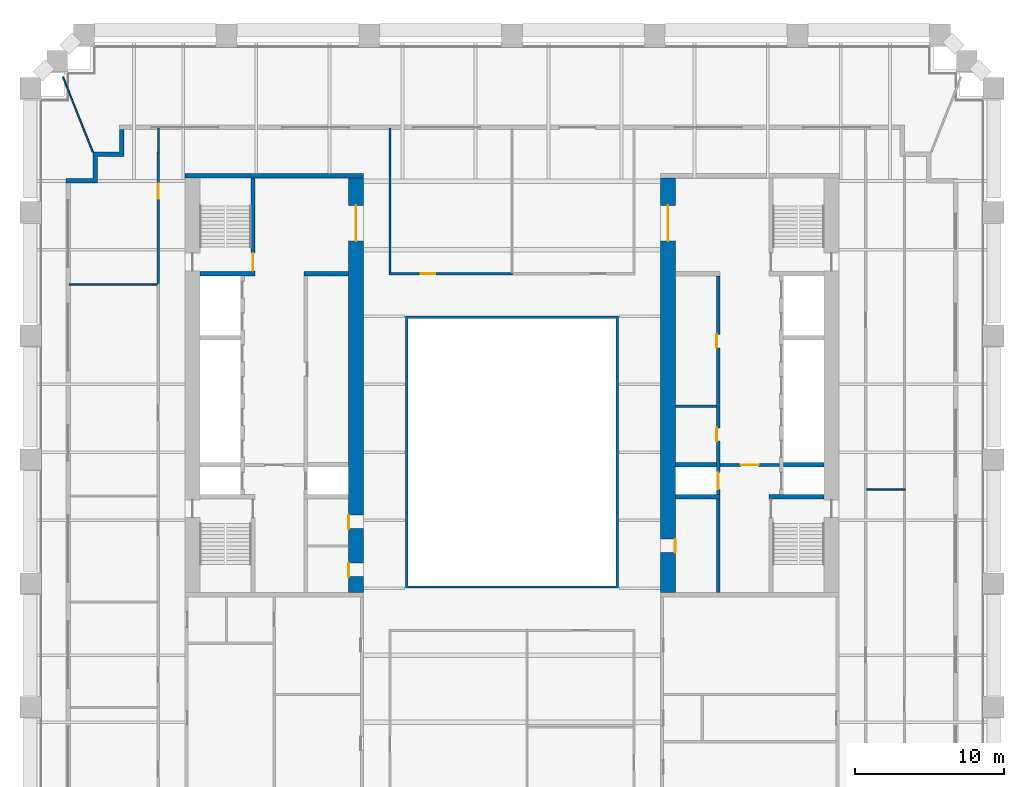
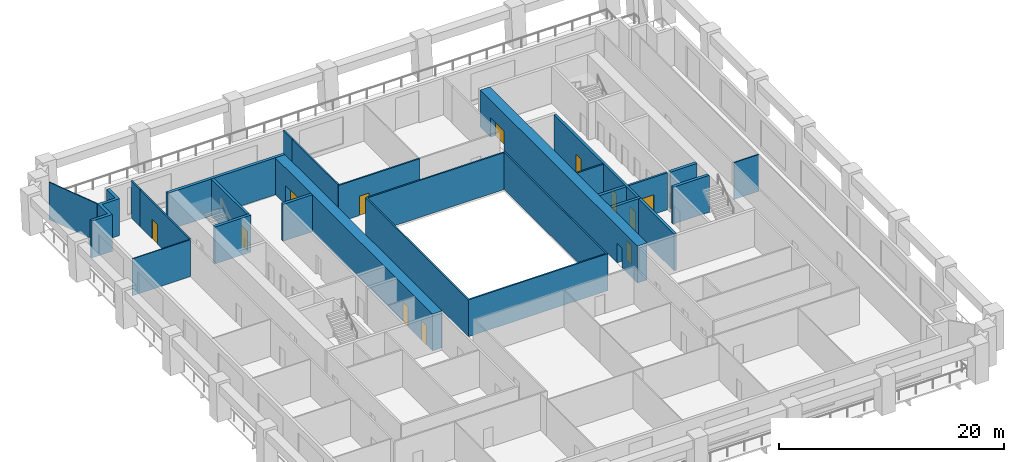
# One storey, part 6 of 10: 23 walls, 12 doors, 12 openings.
"""IFC4 building model written with IfcOpenShell, lengths in metres."""

from ifc_helpers import new_model, si_unit, direction, frame, frame_2d, origin, place, context, subcontext, project, spatial, polyline, rectangle, outline, extrude, material, layer, layer_set, type_object, element, fill, save


model = new_model("IFC4")

# Units and contexts
model_context = context("Model", 3, precision=1e-05, world=origin(), true_north=direction((0.0, 1.0)))
body_context = subcontext(model_context, "Body", "Model", "MODEL_VIEW")
ifc_project = project(units=[si_unit("LENGTHUNIT", "METRE"), si_unit("AREAUNIT", "SQUARE_METRE"), si_unit("VOLUMEUNIT", "CUBIC_METRE"), si_unit("PLANEANGLEUNIT", "RADIAN"), si_unit("MASSUNIT", "GRAM", prefix="KILO")], contexts=[model_context])

# Site, building, storey
site_placement = place(None, origin())
site = spatial("IfcSite", under=ifc_project, at=site_placement, CompositionType="ELEMENT")
building_placement = place(site_placement, origin())
building = spatial("IfcBuilding", under=site, at=building_placement, Name="Ogive Exchange Tower", CompositionType="ELEMENT")
storey_placement = place(building_placement, frame((0.0, 0.0, 73.199951171875)))
storey = spatial("IfcBuildingStorey", under=building, at=storey_placement, Name="L15", CompositionType="ELEMENT", Elevation=73.199951171875)

# Walls
ifc_material_1 = material(Name="Gypsum board partition")
ifc_layer_1 = layer(ifc_material_1, 0.14990234375)
ifc_layer_set_1 = layer_set([ifc_layer_1], Name="Core room partition 150 gypsum")
wall_type_1 = type_object("IfcWallType", Name="Core room partition 150 gypsum", PredefinedType="PARTITIONING", material=ifc_layer_set_1)
wall_1_placement = place(storey_placement, frame((11.0, 10.10009765625, 0.0), z_axis=(0.0, 0.0, 1.0), x_axis=(1.0, 0.0, 0.0)))
element("IfcWall", 1, at=wall_1_placement, inside=storey, type_object=wall_type_1, Name="E row B bay partition 1-1", PredefinedType="PARTITIONING", context=body_context, shape_type="SweptSolid", body=[
    extrude(rectangle(XDim=2.75, YDim=0.14990234375, at=frame_2d((1.375, 0.0))), origin(), (0.0, 0.0, 1.0), 4.0),
])
ifc_layer_2 = layer(ifc_material_1, 0.300048828125)
ifc_layer_set_2 = layer_set([ifc_layer_2], Name="Core room partition 300 gypsum")
wall_type_2 = type_object("IfcWallType", Name="Core room partition 300 gypsum", PredefinedType="PARTITIONING", material=ifc_layer_set_2)
wall_2_placement = place(storey_placement, frame((-14.0, 19.0, 0.0), z_axis=(0.0, 0.0, 1.0), x_axis=(1.0, 0.0, 0.0)))
element("IfcWall", 2, at=wall_2_placement, inside=storey, type_object=wall_type_2, Name="W row B room end wall 7", PredefinedType="PARTITIONING", context=body_context, shape_type="SweptSolid", body=[
    extrude(rectangle(XDim=3.0, YDim=0.300048828125, at=frame_2d((1.5, 0.0))), origin(), (0.0, 0.0, 1.0), 4.0),
])

# Wall, opening, door
ifc_material_2 = material(Name="Fire partition EI 60 150")
ifc_layer_3 = layer(ifc_material_2, 0.14990234375)
ifc_layer_set_3 = layer_set([ifc_layer_3], Name="Fire partition EI 60 150")
wall_type_3 = type_object("IfcWallType", Name="Fire partition EI 60 150", PredefinedType="PARTITIONING", material=ifc_layer_set_3)
wall_3_placement = place(storey_placement, frame((-23.800048828125, 18.340087890625, 0.0), z_axis=(0.0, 0.0, 1.0), x_axis=(0.0, 1.0, 0.0)))
wall_3 = element("IfcWall", 3, at=wall_3_placement, inside=storey, type_object=wall_type_3, Name="L15-PWL-011", PredefinedType="PARTITIONING", context=body_context, shape_type="SweptSolid", body=[
    extrude(rectangle(XDim=8.85986328125, YDim=0.14990234375, at=frame_2d((4.429931640625, 0.0))), origin(), (0.0, 0.0, 1.0), 4.0),
])
opening_1_placement = place(wall_3_placement, frame((5.7099609375, 0.0, 0.0)))
opening_1 = element("IfcOpeningElement", 4, at=opening_1_placement, cuts=wall_3, Name="Opening L15-I12", PredefinedType="OPENING", context=body_context, shape_type="SweptSolid", body=[
    extrude(rectangle(XDim=1.0, YDim=2.10009765625, at=frame_2d((0.5, 1.050048828125))), frame((0.0, 0.0849609375, 0.0), z_axis=(0.0, -1.0, 0.0), x_axis=(1.0, 0.0, 0.0)), (0.0, 0.0, 1.0), 0.169921875),
])
ifc_material_3 = material(Name="Fire door FD 30S 1000 x 2100")
door_type_1 = type_object("IfcDoorType", Name="Fire door FD 30S 1000 x 2100", OperationType="NOTDEFINED", PredefinedType="DOOR", material=ifc_material_3)
door_1_placement = place(opening_1_placement, origin())
door_1 = element("IfcDoor", 5, at=door_1_placement, inside=storey, type_object=door_type_1, Name="L15-IDR-012", ObjectType="DT3", OperationType="SINGLE_SWING_LEFT", OverallHeight=2.10009765625, OverallWidth=1.0, PredefinedType="DOOR", context=body_context, shape_type="SweptSolid", body=[
    extrude(rectangle(XDim=1.0, YDim=2.10009765625, at=frame_2d((0.5, 1.050048828125))), frame((0.0, 0.02490234375, 0.0), z_axis=(0.0, -1.0, 0.0), x_axis=(1.0, 0.0, 0.0)), (0.0, 0.0, 1.0), 0.050048828125),
])
fill(opening_1, door_1)

# Walls
for number, where, z_axis, x_axis, name in (
    (6, (-23.7900390625, 27.199951171875, 0.0), (0.0, 0.0, 1.0), (0.0, 1.0, 0.0), "L15-PWL-012"),
    (7, (-8.2099609375, 28.800048828125, 0.0), (0.0, 0.0, 1.0), (0.0, -1.0, 0.0), "L15-PWL-019"),
):
    element("IfcWall", number, at=place(storey_placement, frame(where, z_axis=z_axis, x_axis=x_axis)), inside=storey, type_object=wall_type_3, Name=name, PredefinedType="PARTITIONING", context=body_context, shape_type="SweptSolid", body=[
        extrude(rectangle(XDim=1.60009765625, YDim=0.14990234375, at=frame_2d((0.800048828125, 0.0))), origin(), (0.0, 0.0, 1.0), 4.0),
    ])

# Wall, opening, door
wall_4_placement = place(storey_placement, frame((-8.27490234375, 19.0, 0.0), z_axis=(0.0, 0.0, 1.0), x_axis=(1.0, 0.0, 0.0)))
wall_4 = element("IfcWall", 8, at=wall_4_placement, inside=storey, type_object=wall_type_3, Name="L15-PWL-022", PredefinedType="PARTITIONING", context=body_context, shape_type="SweptSolid", body=[
    extrude(rectangle(XDim=8.324951171875, YDim=0.14990234375, at=frame_2d((4.16259765625, 0.0))), origin(), (0.0, 0.0, 1.0), 4.0),
])
opening_2_placement = place(wall_4_placement, frame((2.125, 0.0, 0.0)))
opening_2 = element("IfcOpeningElement", 9, at=opening_2_placement, cuts=wall_4, Name="Opening L15-I11", PredefinedType="OPENING", context=body_context, shape_type="SweptSolid", body=[
    extrude(rectangle(XDim=1.0, YDim=2.10009765625, at=frame_2d((0.5, 1.050048828125))), frame((0.0, 0.0849609375, 0.0), z_axis=(0.0, -1.0, 0.0), x_axis=(1.0, 0.0, 0.0)), (0.0, 0.0, 1.0), 0.169921875),
])
door_2_placement = place(opening_2_placement, origin())
door_2 = element("IfcDoor", 10, at=door_2_placement, inside=storey, type_object=door_type_1, Name="L15-IDR-011", ObjectType="DT3", OperationType="SINGLE_SWING_RIGHT", OverallHeight=2.10009765625, OverallWidth=1.0, PredefinedType="DOOR", context=body_context, shape_type="SweptSolid", body=[
    extrude(rectangle(XDim=1.0, YDim=2.10009765625, at=frame_2d((0.5, 1.050048828125))), frame((0.0, 0.02490234375, 0.0), z_axis=(0.0, -1.0, 0.0), x_axis=(1.0, 0.0, 0.0)), (0.0, 0.0, 1.0), 0.050048828125),
])
fill(opening_2, door_2)

# Walls
wall_5_placement = place(storey_placement, frame((-8.199951171875, 27.199951171875, 0.0), z_axis=(0.0, 0.0, 1.0), x_axis=(0.0, -1.0, 0.0)))
element("IfcWall", 11, at=wall_5_placement, inside=storey, type_object=wall_type_3, Name="L15-PWL-023", PredefinedType="PARTITIONING", context=body_context, shape_type="SweptSolid", body=[
    extrude(rectangle(XDim=8.125, YDim=0.14990234375, at=frame_2d((4.0625, 0.0))), origin(), (0.0, 0.0, 1.0), 4.0),
])
ifc_material_4 = material(Name="Fire-resisting glass in steel frame", Category="steel")
ifc_layer_4 = layer(ifc_material_4, 0.14990234375)
ifc_layer_set_4 = layer_set([ifc_layer_4], Name="Fire-rated glazed wall 150")
wall_type_4 = type_object("IfcWallType", Name="Fire-rated glazed wall 150", PredefinedType="STANDARD", material=ifc_layer_set_4)
wall_6_placement = place(storey_placement, origin())
element("IfcWall", 12, at=wall_6_placement, inside=storey, type_object=wall_type_4, Name="Nave enclosure wall", PredefinedType="STANDARD", context=body_context, shape_type="SweptSolid", body=[
    extrude(outline(polyline([(-7.14990234375, -2.14990234375), (7.14990234375, -2.14990234375), (7.14990234375, 16.14990234375), (-7.14990234375, 16.14990234375), (-7.14990234375, -2.14990234375)]), holes=[polyline([(-7.0, -2.0), (-7.0, 16.0), (7.0, 16.0), (7.0, -2.0), (-7.0, -2.0)])]), origin(), (0.0, 0.0, 1.0), 4.0),
])
ifc_material_5 = material(Name="Precast concrete C40/50", Category="concrete")
ifc_layer_5 = layer(ifc_material_5, 0.300048828125)
ifc_layer_set_5 = layer_set([ifc_layer_5], Name="Limestone-faced wall 300")
wall_type_5 = type_object("IfcWallType", Name="Limestone-faced wall 300", PredefinedType="STANDARD", material=ifc_layer_set_5)
wall_7_placement = place(storey_placement, origin())
element("IfcWall", 13, at=wall_7_placement, inside=storey, type_object=wall_type_5, Name="External corner wall C3", PredefinedType="STANDARD", context=body_context, shape_type="SweptSolid", body=[
    extrude(outline(polyline([(-28.199951171875, 25.39990234375), (-28.199951171875, 27.199951171875), (-26.39990234375, 27.199951171875), (-26.39990234375, 28.699951171875), (-26.10009765625, 28.699951171875), (-26.10009765625, 26.89990234375), (-27.89990234375, 26.89990234375), (-27.89990234375, 25.10009765625), (-30.0, 25.10009765625), (-30.0, 25.39990234375), (-28.199951171875, 25.39990234375)])), origin(), (0.0, 0.0, 1.0), 4.0),
])
ifc_material_6 = material(Name="Laminated safety glass in steel frame", Category="steel")
ifc_layer_6 = layer(ifc_material_6, 0.10009765625)
ifc_layer_set_6 = layer_set([ifc_layer_6], Name="Loggia end screen 100")
wall_type_6 = type_object("IfcWallType", Name="Loggia end screen 100", PredefinedType="STANDARD", material=ifc_layer_set_6)
wall_8_placement = place(storey_placement, frame((-28.199951171875, 27.199951171875, -0.050048828125), z_axis=(0.0, 0.0, 1.0), x_axis=(-0.371390676354, 0.928476690885, 0.0)))
element("IfcWall", 14, at=wall_8_placement, inside=storey, type_object=wall_type_6, Name="Loggia end screen C3", PredefinedType="STANDARD", context=body_context, shape_type="SweptSolid", body=[
    extrude(rectangle(XDim=5.4521484375, YDim=0.10009765625, at=frame_2d((2.72607421875, 0.0))), origin(), (0.0, 0.0, 1.0), 4.050048828125),
])
ifc_material_7 = material(Name="Partition 100 gypsum")
ifc_layer_7 = layer(ifc_material_7, 0.10009765625)
ifc_layer_set_7 = layer_set([ifc_layer_7], Name="Partition 100 gypsum")
wall_type_7 = type_object("IfcWallType", Name="Partition 100 gypsum", PredefinedType="PARTITIONING", material=ifc_layer_set_7)
wall_9_placement = place(storey_placement, frame((-23.875, 18.2900390625, 0.0), z_axis=(0.0, 0.0, 1.0), x_axis=(-1.0, 0.0, 0.0)))
element("IfcWall", 15, at=wall_9_placement, inside=storey, type_object=wall_type_7, Name="L15-PWL-010", PredefinedType="PARTITIONING", context=body_context, shape_type="SweptSolid", body=[
    extrude(rectangle(XDim=5.925048828125, YDim=0.10009765625, at=frame_2d((2.96240234375, 0.0))), origin(), (0.0, 0.0, 1.0), 4.0),
])
wall_10_placement = place(storey_placement, frame((23.875, 4.5, 0.0), z_axis=(0.0, 0.0, 1.0), x_axis=(1.0, 0.0, 0.0)))
element("IfcWall", 16, at=wall_10_placement, inside=storey, type_object=wall_type_7, Name="L15-PWL-046", PredefinedType="PARTITIONING", context=body_context, shape_type="SweptSolid", body=[
    extrude(rectangle(XDim=2.574951171875, YDim=0.10009765625, at=frame_2d((1.28759765625, 0.0))), origin(), (0.0, 0.0, 1.0), 4.0),
])

# Wall, openings, doors
ifc_material_8 = material(Name="Concrete C70/85", Category="concrete")
ifc_layer_8 = layer(ifc_material_8, 1.0)
ifc_layer_set_8 = layer_set([ifc_layer_8], Name="RC core wall 1000 C70/85")
wall_type_8 = type_object("IfcWallType", Name="RC core wall 1000 C70/85", PredefinedType="SHEAR", material=ifc_layer_set_8)
wall_11_placement = place(storey_placement, frame((-10.5, -2.449951171875, 0.0), z_axis=(0.0, 0.0, 1.0), x_axis=(0.0, 1.0, 0.0)))
wall_11 = element("IfcWall", 17, at=wall_11_placement, inside=storey, type_object=wall_type_8, Name="W inner wall", PredefinedType="SHEAR", context=body_context, shape_type="SweptSolid", body=[
    extrude(rectangle(XDim=27.89990234375, YDim=1.0, at=frame_2d((13.949951171875, 0.0))), origin(), (0.0, 0.0, 1.0), 4.0),
])
opening_3_placement = place(wall_11_placement, frame((23.64990234375, 0.0, 0.0)))
opening_3 = element("IfcOpeningElement", 18, at=opening_3_placement, cuts=wall_11, Name="Opening L15-C11", PredefinedType="OPENING", context=body_context, shape_type="SweptSolid", body=[
    extrude(rectangle(XDim=2.39990234375, YDim=2.10009765625, at=frame_2d((1.199951171875, 1.050048828125))), frame((0.0, 0.510009765625, 0.0), z_axis=(0.0, -1.0, 0.0), x_axis=(1.0, 0.0, 0.0)), (0.0, 0.0, 1.0), 1.02001953125),
])
opening_4_placement = place(wall_11_placement, frame((1.08740234375, 0.0, 0.0)))
opening_4 = element("IfcOpeningElement", 19, at=opening_4_placement, cuts=wall_11, Name="Opening L15-C16", PredefinedType="OPENING", context=body_context, shape_type="SweptSolid", body=[
    extrude(rectangle(XDim=0.89990234375, YDim=2.10009765625, at=frame_2d((0.449951171875, 1.050048828125))), frame((0.0, 0.510009765625, 0.0), z_axis=(0.0, -1.0, 0.0), x_axis=(1.0, 0.0, 0.0)), (0.0, 0.0, 1.0), 1.02001953125),
])
opening_5_placement = place(wall_11_placement, frame((4.3125, 0.0, 0.0)))
opening_5 = element("IfcOpeningElement", 20, at=opening_5_placement, cuts=wall_11, Name="Opening L15-C17", PredefinedType="OPENING", context=body_context, shape_type="SweptSolid", body=[
    extrude(rectangle(XDim=0.89990234375, YDim=2.10009765625, at=frame_2d((0.449951171875, 1.050048828125))), frame((0.0, 0.510009765625, 0.0), z_axis=(0.0, -1.0, 0.0), x_axis=(1.0, 0.0, 0.0)), (0.0, 0.0, 1.0), 1.02001953125),
])
ifc_material_9 = material(Name="Timber fire door", Category="wood")
door_type_2 = type_object("IfcDoorType", Name="Core room door FD30S 900 x 2100", OperationType="NOTDEFINED", PredefinedType="DOOR", material=ifc_material_9)
door_3_placement = place(opening_4_placement, origin())
door_3 = element("IfcDoor", 21, at=door_3_placement, inside=storey, type_object=door_type_2, Name="Core room door", ObjectType="CD6", OperationType="SINGLE_SWING_RIGHT", OverallHeight=2.10009765625, OverallWidth=0.89990234375, PredefinedType="DOOR", context=body_context, shape_type="SweptSolid", body=[
    extrude(rectangle(XDim=0.89990234375, YDim=2.10009765625, at=frame_2d((0.449951171875, 1.050048828125))), frame((0.0, 0.5, 0.0), z_axis=(0.0, -1.0, 0.0), x_axis=(1.0, 0.0, 0.0)), (0.0, 0.0, 1.0), 0.050048828125),
])
fill(opening_4, door_3)
ifc_material_10 = material(Name="Glazed steel fire door", Category="steel")
door_type_3 = type_object("IfcDoorType", Name="Lift lobby double door FD60 2400 x 2100", OperationType="DOUBLE_DOOR_SINGLE_SWING", PredefinedType="DOOR", material=ifc_material_10)
door_4_placement = place(opening_3_placement, origin())
door_4 = element("IfcDoor", 22, at=door_4_placement, inside=storey, type_object=door_type_3, Name="Lift lobby double door", ObjectType="CD4", OperationType="DOUBLE_DOOR_SINGLE_SWING", OverallHeight=2.10009765625, OverallWidth=2.39990234375, PredefinedType="DOOR", context=body_context, shape_type="SweptSolid", body=[
    extrude(rectangle(XDim=2.39990234375, YDim=2.10009765625, at=frame_2d((1.199951171875, 1.050048828125))), frame((0.0, 0.02490234375, 0.0), z_axis=(0.0, -1.0, 0.0), x_axis=(1.0, 0.0, 0.0)), (0.0, 0.0, 1.0), 0.050048828125),
])
fill(opening_3, door_4)
ifc_material_11 = material(Name="Steel fire door", Category="steel")
door_type_4 = type_object("IfcDoorType", Name="Riser door FD60 900 x 2100", OperationType="NOTDEFINED", PredefinedType="DOOR", material=ifc_material_11)
door_5_placement = place(opening_5_placement, origin())
door_5 = element("IfcDoor", 23, at=door_5_placement, inside=storey, type_object=door_type_4, Name="Riser door", ObjectType="CD2", OperationType="SINGLE_SWING_RIGHT", OverallHeight=2.10009765625, OverallWidth=0.89990234375, PredefinedType="DOOR", context=body_context, shape_type="SweptSolid", body=[
    extrude(rectangle(XDim=0.89990234375, YDim=2.10009765625, at=frame_2d((0.449951171875, 1.050048828125))), frame((0.0, 0.5, 0.0), z_axis=(0.0, -1.0, 0.0), x_axis=(1.0, 0.0, 0.0)), (0.0, 0.0, 1.0), 0.050048828125),
])
fill(opening_5, door_5)

wall_12_placement = place(storey_placement, frame((10.5, -2.449951171875, 0.0), z_axis=(0.0, 0.0, 1.0), x_axis=(0.0, 1.0, 0.0)))
wall_12 = element("IfcWall", 24, at=wall_12_placement, inside=storey, type_object=wall_type_8, Name="E inner wall", PredefinedType="SHEAR", context=body_context, shape_type="SweptSolid", body=[
    extrude(rectangle(XDim=27.89990234375, YDim=1.0, at=frame_2d((13.949951171875, 0.0))), origin(), (0.0, 0.0, 1.0), 4.0),
])
opening_6_placement = place(wall_12_placement, frame((23.64990234375, 0.0, 0.0)))
opening_6 = element("IfcOpeningElement", 25, at=opening_6_placement, cuts=wall_12, Name="Opening L15-C34", PredefinedType="OPENING", context=body_context, shape_type="SweptSolid", body=[
    extrude(rectangle(XDim=2.39990234375, YDim=2.10009765625, at=frame_2d((1.199951171875, 1.050048828125))), frame((0.0, 0.510009765625, 0.0), z_axis=(0.0, -1.0, 0.0), x_axis=(1.0, 0.0, 0.0)), (0.0, 0.0, 1.0), 1.02001953125),
])
opening_7_placement = place(wall_12_placement, frame((2.699951171875, 0.0, 0.0)))
opening_7 = element("IfcOpeningElement", 26, at=opening_7_placement, cuts=wall_12, Name="Opening L15-C39", PredefinedType="OPENING", context=body_context, shape_type="SweptSolid", body=[
    extrude(rectangle(XDim=0.89990234375, YDim=2.10009765625, at=frame_2d((0.449951171875, 1.050048828125))), frame((0.0, 0.510009765625, 0.0), z_axis=(0.0, -1.0, 0.0), x_axis=(1.0, 0.0, 0.0)), (0.0, 0.0, 1.0), 1.02001953125),
])
door_6_placement = place(opening_7_placement, frame((0.89990234375, -0.9501953125, 0.0), z_axis=(0.0, 0.0, 1.0), x_axis=(-1.0, 0.0, 0.0)))
door_6 = element("IfcDoor", 27, at=door_6_placement, inside=storey, type_object=door_type_2, Name="Core room door", ObjectType="CD6", OperationType="SINGLE_SWING_RIGHT", OverallHeight=2.10009765625, OverallWidth=0.89990234375, PredefinedType="DOOR", context=body_context, shape_type="SweptSolid", body=[
    extrude(rectangle(XDim=0.89990234375, YDim=2.10009765625, at=frame_2d((0.449951171875, 1.050048828125))), frame((0.0, -0.4501953125, 0.0), z_axis=(0.0, -1.0, 0.0), x_axis=(1.0, 0.0, 0.0)), (0.0, 0.0, 1.0), 0.050048828125),
])
fill(opening_7, door_6)
door_7_placement = place(opening_6_placement, frame((2.39990234375, 0.0, 0.0), z_axis=(0.0, 0.0, 1.0), x_axis=(-1.0, 0.0, 0.0)))
door_7 = element("IfcDoor", 28, at=door_7_placement, inside=storey, type_object=door_type_3, Name="Lift lobby double door", ObjectType="CD4", OperationType="DOUBLE_DOOR_SINGLE_SWING", OverallHeight=2.10009765625, OverallWidth=2.39990234375, PredefinedType="DOOR", context=body_context, shape_type="SweptSolid", body=[
    extrude(rectangle(XDim=2.39990234375, YDim=2.10009765625, at=frame_2d((1.199951171875, 1.050048828125))), frame((0.0, 0.02490234375, 0.0), z_axis=(0.0, -1.0, 0.0), x_axis=(1.0, 0.0, 0.0)), (0.0, 0.0, 1.0), 0.050048828125),
])
fill(opening_6, door_7)

# Wall, opening, door
ifc_layer_9 = layer(ifc_material_8, 0.199951171875)
ifc_layer_set_9 = layer_set([ifc_layer_9], Name="RC core wall 200 C70/85")
wall_type_9 = type_object("IfcWallType", Name="RC core wall 200 C70/85", PredefinedType="SHEAR", material=ifc_layer_set_9)
wall_13_placement = place(storey_placement, frame((14.0, 6.142822265625, 0.0), z_axis=(0.0, 0.0, 1.0), x_axis=(1.0, 0.0, 0.0)))
wall_13 = element("IfcWall", 29, at=wall_13_placement, inside=storey, type_object=wall_type_9, Name="E firefighting lobby wall", PredefinedType="SHEAR", context=body_context, shape_type="SweptSolid", body=[
    extrude(rectangle(XDim=4.0, YDim=0.199951171875, at=frame_2d((2.0, 0.0))), origin(), (0.0, 0.0, 1.0), 4.0),
])
opening_8_placement = place(wall_13_placement, frame((1.39990234375, 0.0, 0.0)))
opening_8 = element("IfcOpeningElement", 30, at=opening_8_placement, cuts=wall_13, Name="Opening L15-C33", PredefinedType="OPENING", context=body_context, shape_type="SweptSolid", body=[
    extrude(rectangle(XDim=1.199951171875, YDim=2.10009765625, at=frame_2d((0.60009765625, 1.050048828125))), frame((0.0, 0.10986328125, 0.0), z_axis=(0.0, -1.0, 0.0), x_axis=(1.0, 0.0, 0.0)), (0.0, 0.0, 1.0), 0.219970703125),
])
door_type_5 = type_object("IfcDoorType", Name="Firefighting lobby door FD60 1200 x 2100", OperationType="NOTDEFINED", PredefinedType="DOOR", material=ifc_material_11)
door_8_placement = place(opening_8_placement, frame((1.199951171875, 0.0, 0.0), z_axis=(0.0, 0.0, 1.0), x_axis=(-1.0, 0.0, 0.0)))
door_8 = element("IfcDoor", 31, at=door_8_placement, inside=storey, type_object=door_type_5, Name="Firefighting lobby door", ObjectType="CD3", OperationType="SINGLE_SWING_RIGHT", OverallHeight=2.10009765625, OverallWidth=1.199951171875, PredefinedType="DOOR", context=body_context, shape_type="SweptSolid", body=[
    extrude(rectangle(XDim=1.199951171875, YDim=2.10009765625, at=frame_2d((0.60009765625, 1.050048828125))), frame((0.0, 0.02490234375, 0.0), z_axis=(0.0, -1.0, 0.0), x_axis=(1.0, 0.0, 0.0)), (0.0, 0.0, 1.0), 0.050048828125),
])
fill(opening_8, door_8)

ifc_layer_10 = layer(ifc_material_8, 0.25)
ifc_layer_set_10 = layer_set([ifc_layer_10], Name="RC core wall 250 C70/85")
wall_type_10 = type_object("IfcWallType", Name="RC core wall 250 C70/85", PredefinedType="SHEAR", material=ifc_layer_set_10)
wall_14_placement = place(storey_placement, frame((-17.425048828125, 19.14990234375, 0.0), z_axis=(0.0, 0.0, 1.0), x_axis=(0.0, 1.0, 0.0)))
wall_14 = element("IfcWall", 32, at=wall_14_placement, inside=storey, type_object=wall_type_10, Name="W stair N front wall", PredefinedType="SHEAR", context=body_context, shape_type="SweptSolid", body=[
    extrude(rectangle(XDim=6.300048828125, YDim=0.25, at=frame_2d((3.14990234375, 0.0))), origin(), (0.0, 0.0, 1.0), 4.0),
])
opening_9_placement = place(wall_14_placement, frame((0.050048828125, 0.0, 0.0)))
opening_9 = element("IfcOpeningElement", 33, at=opening_9_placement, cuts=wall_14, Name="Opening L15-C14", PredefinedType="OPENING", context=body_context, shape_type="SweptSolid", body=[
    extrude(rectangle(XDim=1.199951171875, YDim=2.10009765625, at=frame_2d((0.60009765625, 1.050048828125))), frame((0.0, 0.135009765625, 0.0), z_axis=(0.0, -1.0, 0.0), x_axis=(1.0, 0.0, 0.0)), (0.0, 0.0, 1.0), 0.27001953125),
])
door_type_6 = type_object("IfcDoorType", Name="Stair door FD90 1200 x 2100", OperationType="NOTDEFINED", PredefinedType="DOOR", material=ifc_material_11)
door_9_placement = place(opening_9_placement, origin())
door_9 = element("IfcDoor", 34, at=door_9_placement, inside=storey, type_object=door_type_6, Name="Stair door", ObjectType="CD5", OperationType="SINGLE_SWING_RIGHT", OverallHeight=2.10009765625, OverallWidth=1.199951171875, PredefinedType="DOOR", context=body_context, shape_type="SweptSolid", body=[
    extrude(rectangle(XDim=1.199951171875, YDim=2.10009765625, at=frame_2d((0.60009765625, 1.050048828125))), frame((0.0, 0.02490234375, 0.0), z_axis=(0.0, -1.0, 0.0), x_axis=(1.0, 0.0, 0.0)), (0.0, 0.0, 1.0), 0.050048828125),
])
fill(opening_9, door_9)

# Wall, openings, doors
wall_15_placement = place(storey_placement, frame((13.875, -2.449951171875, 0.0), z_axis=(0.0, 0.0, 1.0), x_axis=(0.0, 1.0, 0.0)))
wall_15 = element("IfcWall", 35, at=wall_15_placement, inside=storey, type_object=wall_type_10, Name="E row B front wall", PredefinedType="SHEAR", context=body_context, shape_type="SweptSolid", body=[
    extrude(rectangle(XDim=21.300048828125, YDim=0.25, at=frame_2d((10.64990234375, 0.0))), origin(), (0.0, 0.0, 1.0), 4.0),
])
opening_10_placement = place(wall_15_placement, frame((10.1962890625, 0.0, 0.0)))
opening_10 = element("IfcOpeningElement", 36, at=opening_10_placement, cuts=wall_15, Name="Opening L15-C30", PredefinedType="OPENING", context=body_context, shape_type="SweptSolid", body=[
    extrude(rectangle(XDim=0.89990234375, YDim=2.10009765625, at=frame_2d((0.449951171875, 1.050048828125))), frame((0.0, 0.135009765625, 0.0), z_axis=(0.0, -1.0, 0.0), x_axis=(1.0, 0.0, 0.0)), (0.0, 0.0, 1.0), 0.27001953125),
])
opening_11_placement = place(wall_15_placement, frame((16.47509765625, 0.0, 0.0)))
opening_11 = element("IfcOpeningElement", 37, at=opening_11_placement, cuts=wall_15, Name="Opening L15-C31", PredefinedType="OPENING", context=body_context, shape_type="SweptSolid", body=[
    extrude(rectangle(XDim=0.89990234375, YDim=2.10009765625, at=frame_2d((0.449951171875, 1.050048828125))), frame((0.0, 0.135009765625, 0.0), z_axis=(0.0, -1.0, 0.0), x_axis=(1.0, 0.0, 0.0)), (0.0, 0.0, 1.0), 0.27001953125),
])
opening_12_placement = place(wall_15_placement, frame((6.971435546875, 0.0, 0.0)))
opening_12 = element("IfcOpeningElement", 38, at=opening_12_placement, cuts=wall_15, Name="Opening L15-C32", PredefinedType="OPENING", context=body_context, shape_type="SweptSolid", body=[
    extrude(rectangle(XDim=1.10009765625, YDim=2.10009765625, at=frame_2d((0.550048828125, 1.050048828125))), frame((0.0, 0.135009765625, 0.0), z_axis=(0.0, -1.0, 0.0), x_axis=(1.0, 0.0, 0.0)), (0.0, 0.0, 1.0), 0.27001953125),
])
door_10_placement = place(opening_10_placement, origin())
door_10 = element("IfcDoor", 39, at=door_10_placement, inside=storey, type_object=door_type_2, Name="Core room door", ObjectType="CD6", OperationType="SINGLE_SWING_LEFT", OverallHeight=2.10009765625, OverallWidth=0.89990234375, PredefinedType="DOOR", context=body_context, shape_type="SweptSolid", body=[
    extrude(rectangle(XDim=0.89990234375, YDim=2.10009765625, at=frame_2d((0.449951171875, 1.050048828125))), frame((0.0, 0.125, 0.0), z_axis=(0.0, -1.0, 0.0), x_axis=(1.0, 0.0, 0.0)), (0.0, 0.0, 1.0), 0.050048828125),
])
fill(opening_10, door_10)
ifc_material_12 = material(Name="Stainless steel", Category="steel")
door_type_7 = type_object("IfcDoorType", Name="Lift landing door FD90 1100 x 2100", OperationType="SLIDING_TO_LEFT", PredefinedType="DOOR", material=ifc_material_12)
door_11_placement = place(opening_12_placement, origin())
door_11 = element("IfcDoor", 40, at=door_11_placement, inside=storey, type_object=door_type_7, Name="Lift landing door SV2", ObjectType="LD", OperationType="SLIDING_TO_LEFT", OverallHeight=2.10009765625, OverallWidth=1.10009765625, PredefinedType="DOOR", context=body_context, shape_type="SweptSolid", body=[
    extrude(rectangle(XDim=1.10009765625, YDim=2.10009765625, at=frame_2d((0.550048828125, 1.050048828125))), frame((0.0, 0.02490234375, 0.0), z_axis=(0.0, -1.0, 0.0), x_axis=(1.0, 0.0, 0.0)), (0.0, 0.0, 1.0), 0.050048828125),
])
fill(opening_12, door_11)
door_12_placement = place(opening_11_placement, origin())
door_12 = element("IfcDoor", 41, at=door_12_placement, inside=storey, type_object=door_type_4, Name="Riser door", ObjectType="CD2", OperationType="SINGLE_SWING_LEFT", OverallHeight=2.10009765625, OverallWidth=0.89990234375, PredefinedType="DOOR", context=body_context, shape_type="SweptSolid", body=[
    extrude(rectangle(XDim=0.89990234375, YDim=2.10009765625, at=frame_2d((0.449951171875, 1.050048828125))), frame((0.0, 0.125, 0.0), z_axis=(0.0, -1.0, 0.0), x_axis=(1.0, 0.0, 0.0)), (0.0, 0.0, 1.0), 0.050048828125),
])
fill(opening_11, door_12)

# Walls
ifc_layer_11 = layer(ifc_material_8, 0.300048828125)
ifc_layer_set_11 = layer_set([ifc_layer_11], Name="RC core wall 300 C70/85")
wall_type_11 = type_object("IfcWallType", Name="RC core wall 300 C70/85", PredefinedType="SHEAR", material=ifc_layer_set_11)
wall_16_placement = place(storey_placement, frame((-22.0, 25.60009765625, 0.0), z_axis=(0.0, 0.0, 1.0), x_axis=(1.0, 0.0, 0.0)))
element("IfcWall", 42, at=wall_16_placement, inside=storey, type_object=wall_type_11, Name="W north end wall", PredefinedType="SHEAR", context=body_context, shape_type="SweptSolid", body=[
    extrude(rectangle(XDim=12.0, YDim=0.300048828125, at=frame_2d((6.0, 0.0))), origin(), (0.0, 0.0, 1.0), 4.0),
])
for number, where, z_axis, x_axis, name in (
    (43, (-21.0, 19.0, 0.0), (0.0, 0.0, 1.0), (1.0, 0.0, 0.0), "W stair N south wall"),
    (44, (17.300048828125, 4.0, 0.0), (0.0, 0.0, 1.0), (1.0, 0.0, 0.0), "E stair S north wall"),
):
    element("IfcWall", number, at=place(storey_placement, frame(where, z_axis=z_axis, x_axis=x_axis)), inside=storey, type_object=wall_type_11, Name=name, PredefinedType="SHEAR", context=body_context, shape_type="SweptSolid", body=[
        extrude(rectangle(XDim=3.699951171875, YDim=0.300048828125, at=frame_2d((1.85009765625, 0.0))), origin(), (0.0, 0.0, 1.0), 4.0),
    ])
wall_17_placement = place(storey_placement, frame((18.25, 6.142822265625, 0.0), z_axis=(0.0, 0.0, 1.0), x_axis=(1.0, 0.0, 0.0)))
element("IfcWall", 45, at=wall_17_placement, inside=storey, type_object=wall_type_11, Name="E row A divider 1", PredefinedType="SHEAR", context=body_context, shape_type="SweptSolid", body=[
    extrude(rectangle(XDim=2.75, YDim=0.300048828125, at=frame_2d((1.375, 0.0))), origin(), (0.0, 0.0, 1.0), 4.0),
])
wall_18_placement = place(storey_placement, frame((11.0, 4.0, 0.0), z_axis=(0.0, 0.0, 1.0), x_axis=(1.0, 0.0, 0.0)))
element("IfcWall", 46, at=wall_18_placement, inside=storey, type_object=wall_type_11, Name="E row B divider 0", PredefinedType="SHEAR", context=body_context, shape_type="SweptSolid", body=[
    extrude(rectangle(XDim=3.0, YDim=0.300048828125, at=frame_2d((1.5, 0.0))), origin(), (0.0, 0.0, 1.0), 4.0),
])
wall_19_placement = place(storey_placement, frame((11.0, 6.142822265625, 0.0), z_axis=(0.0, 0.0, 1.0), x_axis=(1.0, 0.0, 0.0)))
element("IfcWall", 47, at=wall_19_placement, inside=storey, type_object=wall_type_11, Name="E row B divider 1", PredefinedType="SHEAR", context=body_context, shape_type="SweptSolid", body=[
    extrude(rectangle(XDim=2.75, YDim=0.300048828125, at=frame_2d((1.375, 0.0))), origin(), (0.0, 0.0, 1.0), 4.0),
])

save(model, "model.ifc")
